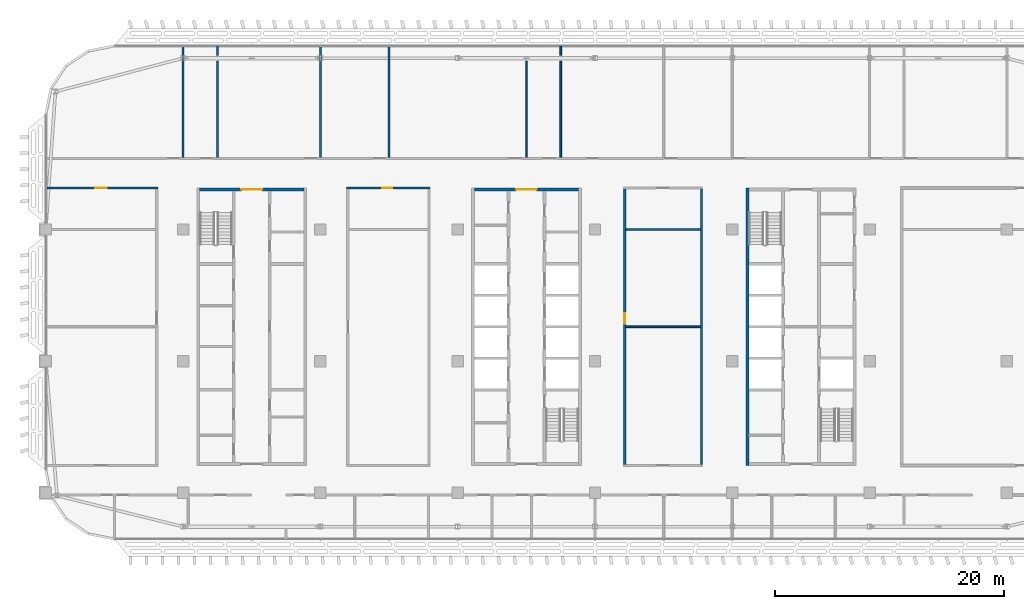
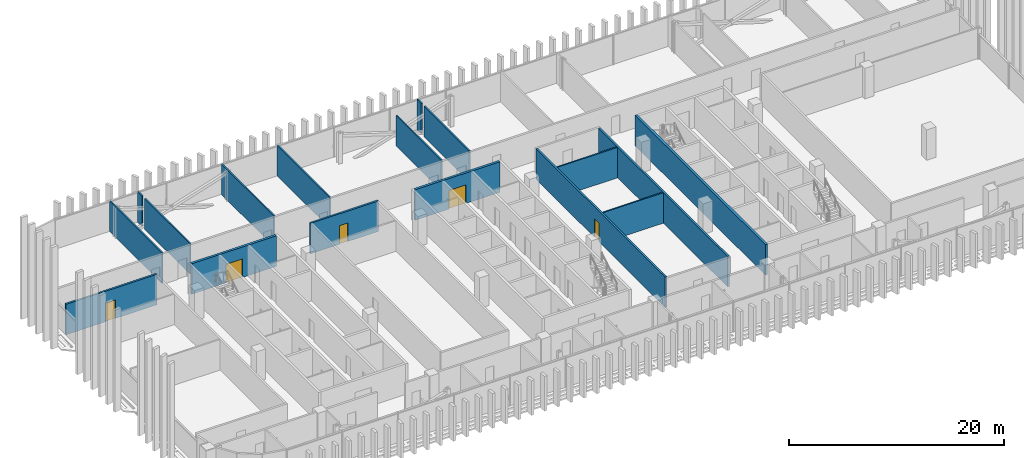
# One storey, part 18 of 32: 17 walls, 5 doors, 5 openings.
"""IFC4 building model written with IfcOpenShell, lengths in metres."""

from ifc_helpers import new_model, si_unit, direction, frame, frame_2d, origin, place, context, subcontext, project, spatial, rectangle, extrude, material, layer, layer_set, type_object, element, fill, save


model = new_model("IFC4")

# Units and contexts
model_context = context("Model", 3, precision=1e-05, world=origin(), true_north=direction((0.0, 1.0)))
body_context = subcontext(model_context, "Body", "Model", "MODEL_VIEW")
ifc_project = project(units=[si_unit("LENGTHUNIT", "METRE"), si_unit("AREAUNIT", "SQUARE_METRE"), si_unit("VOLUMEUNIT", "CUBIC_METRE"), si_unit("PLANEANGLEUNIT", "RADIAN"), si_unit("MASSUNIT", "GRAM", prefix="KILO")], contexts=[model_context])

# Site, building, storey
site_placement = place(None, origin())
site = spatial("IfcSite", under=ifc_project, at=site_placement, CompositionType="ELEMENT")
building_placement = place(site_placement, origin())
building = spatial("IfcBuilding", under=site, at=building_placement, Name="Mahtab Terrace Research Tower", CompositionType="ELEMENT")
storey_placement = place(building_placement, frame((0.0, 0.0, 243.800048828125)))
storey = spatial("IfcBuildingStorey", under=building, at=storey_placement, Name="L59", CompositionType="ELEMENT", Elevation=243.800048828125)

# Wall, opening, door
ifc_material_1 = material(Name="Concrete C70/85", Category="concrete")
ifc_layer_1 = layer(ifc_material_1, 0.25)
ifc_layer_set_1 = layer_set([ifc_layer_1], Name="Core wall 250")
wall_type_1 = type_object("IfcWallType", Name="Core wall 250", PredefinedType="SOLIDWALL", material=ifc_layer_set_1)
wall_1_placement = place(storey_placement, frame((-28.550048828125, 15.0, 0.0), z_axis=(0.0, 0.0, 1.0), x_axis=(1.0, 0.0, 0.0)))
wall_1 = element("IfcWall", 1, at=wall_1_placement, inside=storey, type_object=wall_type_1, Name="Core wall A endN", PredefinedType="SOLIDWALL", context=body_context, shape_type="SweptSolid", body=[
    extrude(rectangle(XDim=9.10009765625, YDim=0.25, at=frame_2d((4.550048828125, 0.0))), origin(), (0.0, 0.0, 1.0), 3.4599609375),
])
opening_1_placement = place(wall_1_placement, frame((3.64990234375, 0.0, 0.0)))
opening_1 = element("IfcOpeningElement", 2, at=opening_1_placement, cuts=wall_1, Name="Opening A-N1", PredefinedType="OPENING", context=body_context, shape_type="SweptSolid", body=[
    extrude(rectangle(XDim=1.800048828125, YDim=2.10009765625, at=frame_2d((0.89990234375, 1.050048828125))), frame((0.0, 0.135009765625, 0.0), z_axis=(0.0, -1.0, 0.0), x_axis=(1.0, 0.0, 0.0)), (0.0, 0.0, 1.0), 0.27001953125),
])
ifc_material_2 = material(Name="Steel fire door", Category="steel")
door_type_1 = type_object("IfcDoorType", Name="Lobby double door 1800x2100 1 HR", OperationType="DOUBLE_DOOR_SINGLE_SWING", PredefinedType="DOOR", material=ifc_material_2)
door_1_placement = place(opening_1_placement, origin())
door_1 = element("IfcDoor", 3, at=door_1_placement, inside=storey, type_object=door_type_1, Name="Core entrance door A N", OperationType="DOUBLE_DOOR_SINGLE_SWING", OverallHeight=2.10009765625, OverallWidth=1.800048828125, PredefinedType="DOOR", context=body_context, shape_type="SweptSolid", body=[
    extrude(rectangle(XDim=1.800048828125, YDim=2.10009765625, at=frame_2d((0.89990234375, 1.050048828125))), frame((0.0, 0.02490234375, 0.0), z_axis=(0.0, -1.0, 0.0), x_axis=(1.0, 0.0, 0.0)), (0.0, 0.0, 1.0), 0.050048828125),
])
fill(opening_1, door_1)

wall_2_placement = place(storey_placement, frame((-4.550048828125, 15.0, 0.0), z_axis=(0.0, 0.0, 1.0), x_axis=(1.0, 0.0, 0.0)))
wall_2 = element("IfcWall", 4, at=wall_2_placement, inside=storey, type_object=wall_type_1, Name="Core wall B endN", PredefinedType="SOLIDWALL", context=body_context, shape_type="SweptSolid", body=[
    extrude(rectangle(XDim=9.10009765625, YDim=0.25, at=frame_2d((4.550048828125, 0.0))), origin(), (0.0, 0.0, 1.0), 3.4599609375),
])
opening_2_placement = place(wall_2_placement, frame((3.64990234375, 0.0, 0.0)))
opening_2 = element("IfcOpeningElement", 5, at=opening_2_placement, cuts=wall_2, Name="Opening B-N1", PredefinedType="OPENING", context=body_context, shape_type="SweptSolid", body=[
    extrude(rectangle(XDim=1.800048828125, YDim=2.10009765625, at=frame_2d((0.89990234375, 1.050048828125))), frame((0.0, 0.135009765625, 0.0), z_axis=(0.0, -1.0, 0.0), x_axis=(1.0, 0.0, 0.0)), (0.0, 0.0, 1.0), 0.27001953125),
])
door_2_placement = place(opening_2_placement, origin())
door_2 = element("IfcDoor", 6, at=door_2_placement, inside=storey, type_object=door_type_1, Name="Core entrance door B N", OperationType="DOUBLE_DOOR_SINGLE_SWING", OverallHeight=2.10009765625, OverallWidth=1.800048828125, PredefinedType="DOOR", context=body_context, shape_type="SweptSolid", body=[
    extrude(rectangle(XDim=1.800048828125, YDim=2.10009765625, at=frame_2d((0.89990234375, 1.050048828125))), frame((0.0, 0.02490234375, 0.0), z_axis=(0.0, -1.0, 0.0), x_axis=(1.0, 0.0, 0.0)), (0.0, 0.0, 1.0), 0.050048828125),
])
fill(opening_2, door_2)

# Wall
wall_3_placement = place(storey_placement, frame((19.324951171875, 15.125, 0.0), z_axis=(0.0, 0.0, 1.0), x_axis=(0.0, -1.0, 0.0)))
element("IfcWall", 7, at=wall_3_placement, inside=storey, type_object=wall_type_1, Name="Core wall C outerW", PredefinedType="SOLIDWALL", context=body_context, shape_type="SweptSolid", body=[
    extrude(rectangle(XDim=24.25, YDim=0.25, at=frame_2d((12.125, 0.0))), origin(), (0.0, 0.0, 1.0), 3.4599609375),
])

# Wall, opening, door
ifc_material_3 = material(Name="Gypsum board corridor wall on steel studs", Category="steel")
ifc_layer_2 = layer(ifc_material_3, 0.199951171875)
ifc_layer_set_2 = layer_set([ifc_layer_2], Name="WALL CORRIDOR 200")
wall_type_2 = type_object("IfcWallType", Name="WALL CORRIDOR 200", PredefinedType="PARTITIONING", material=ifc_layer_set_2)
wall_4_placement = place(storey_placement, frame((-41.97509765625, 15.125, 0.0), z_axis=(0.0, 0.0, 1.0), x_axis=(1.0, 0.0, 0.0)))
wall_4 = element("IfcWall", 8, at=wall_4_placement, inside=storey, type_object=wall_type_2, Name="L59-W021", PredefinedType="PARTITIONING", context=body_context, shape_type="SweptSolid", body=[
    extrude(rectangle(XDim=9.775146484375, YDim=0.199951171875, at=frame_2d((4.8876953125, 0.0))), origin(), (0.0, 0.0, 1.0), 3.4599609375),
])
opening_3_placement = place(wall_4_placement, frame((4.300048828125, 0.0, 0.0)))
opening_3 = element("IfcOpeningElement", 9, at=opening_3_placement, cuts=wall_4, Name="Opening L59-123", PredefinedType="OPENING", context=body_context, shape_type="SweptSolid", body=[
    extrude(rectangle(XDim=1.0, YDim=2.10009765625, at=frame_2d((0.5, 1.050048828125))), frame((0.0, 0.10986328125, 0.0), z_axis=(0.0, -1.0, 0.0), x_axis=(1.0, 0.0, 0.0)), (0.0, 0.0, 1.0), 0.219970703125),
])
ifc_material_4 = material(Name="Timber door leaf in steel frame", Category="steel")
door_type_2 = type_object("IfcDoorType", Name="DOOR 1000X2100 FD30S", OperationType="SINGLE_SWING_LEFT", PredefinedType="DOOR", material=ifc_material_4)
door_3_placement = place(opening_3_placement, origin())
door_3 = element("IfcDoor", 10, at=door_3_placement, inside=storey, type_object=door_type_2, Name="Door L59-123", OperationType="SINGLE_SWING_RIGHT", OverallHeight=2.10009765625, OverallWidth=1.0, PredefinedType="DOOR", context=body_context, shape_type="SweptSolid", body=[
    extrude(rectangle(XDim=1.0, YDim=2.10009765625, at=frame_2d((0.5, 1.050048828125))), frame((0.0, 0.02490234375, 0.0), z_axis=(0.0, -1.0, 0.0), x_axis=(1.0, 0.0, 0.0)), (0.0, 0.0, 1.0), 0.050048828125),
])
fill(opening_3, door_3)

wall_5_placement = place(storey_placement, frame((-15.699951171875, 15.125, 0.0), z_axis=(0.0, 0.0, 1.0), x_axis=(1.0, 0.0, 0.0)))
wall_5 = element("IfcWall", 11, at=wall_5_placement, inside=storey, type_object=wall_type_2, Name="L59-W022", PredefinedType="PARTITIONING", context=body_context, shape_type="SweptSolid", body=[
    extrude(rectangle(XDim=7.300048828125, YDim=0.199951171875, at=frame_2d((3.64990234375, 0.0))), origin(), (0.0, 0.0, 1.0), 3.4599609375),
])
opening_4_placement = place(wall_5_placement, frame((3.10009765625, 0.0, 0.0)))
opening_4 = element("IfcOpeningElement", 12, at=opening_4_placement, cuts=wall_5, Name="Opening L59-124", PredefinedType="OPENING", context=body_context, shape_type="SweptSolid", body=[
    extrude(rectangle(XDim=0.89990234375, YDim=2.10009765625, at=frame_2d((0.449951171875, 1.050048828125))), frame((0.0, 0.10986328125, 0.0), z_axis=(0.0, -1.0, 0.0), x_axis=(1.0, 0.0, 0.0)), (0.0, 0.0, 1.0), 0.219970703125),
])
door_type_3 = type_object("IfcDoorType", Name="DOOR 0900X2100 FD30S", OperationType="SINGLE_SWING_LEFT", PredefinedType="DOOR", material=ifc_material_4)
door_4_placement = place(opening_4_placement, origin())
door_4 = element("IfcDoor", 13, at=door_4_placement, inside=storey, type_object=door_type_3, Name="Door L59-124", OperationType="SINGLE_SWING_RIGHT", OverallHeight=2.10009765625, OverallWidth=0.89990234375, PredefinedType="DOOR", context=body_context, shape_type="SweptSolid", body=[
    extrude(rectangle(XDim=0.89990234375, YDim=2.10009765625, at=frame_2d((0.449951171875, 1.050048828125))), frame((0.0, 0.02490234375, 0.0), z_axis=(0.0, -1.0, 0.0), x_axis=(1.0, 0.0, 0.0)), (0.0, 0.0, 1.0), 0.050048828125),
])
fill(opening_4, door_4)

wall_6_placement = place(storey_placement, frame((8.60009765625, -9.02490234375, 0.0), z_axis=(0.0, 0.0, 1.0), x_axis=(0.0, 1.0, 0.0)))
wall_6 = element("IfcWall", 14, at=wall_6_placement, inside=storey, type_object=wall_type_2, Name="L59-W045", PredefinedType="PARTITIONING", context=body_context, shape_type="SweptSolid", body=[
    extrude(rectangle(XDim=24.0498046875, YDim=0.199951171875, at=frame_2d((12.02490234375, 0.0))), origin(), (0.0, 0.0, 1.0), 3.4599609375),
])
opening_5_placement = place(wall_6_placement, frame((12.300048828125, 0.0, 0.0)))
opening_5 = element("IfcOpeningElement", 15, at=opening_5_placement, cuts=wall_6, Name="Opening L59-122", PredefinedType="OPENING", context=body_context, shape_type="SweptSolid", body=[
    extrude(rectangle(XDim=0.89990234375, YDim=2.10009765625, at=frame_2d((0.449951171875, 1.050048828125))), frame((0.0, 0.10986328125, 0.0), z_axis=(0.0, -1.0, 0.0), x_axis=(1.0, 0.0, 0.0)), (0.0, 0.0, 1.0), 0.219970703125),
])
door_5_placement = place(opening_5_placement, origin())
door_5 = element("IfcDoor", 16, at=door_5_placement, inside=storey, type_object=door_type_3, Name="Door L59-122", OperationType="SINGLE_SWING_LEFT", OverallHeight=2.10009765625, OverallWidth=0.89990234375, PredefinedType="DOOR", context=body_context, shape_type="SweptSolid", body=[
    extrude(rectangle(XDim=0.89990234375, YDim=2.10009765625, at=frame_2d((0.449951171875, 1.050048828125))), frame((0.0, 0.02490234375, 0.0), z_axis=(0.0, -1.0, 0.0), x_axis=(1.0, 0.0, 0.0)), (0.0, 0.0, 1.0), 0.050048828125),
])
fill(opening_5, door_5)

# Walls
wall_7_placement = place(storey_placement, frame((15.300048828125, -9.02490234375, 0.0), z_axis=(0.0, 0.0, 1.0), x_axis=(0.0, 1.0, 0.0)))
element("IfcWall", 17, at=wall_7_placement, inside=storey, type_object=wall_type_2, Name="L59-W048", PredefinedType="PARTITIONING", context=body_context, shape_type="SweptSolid", body=[
    extrude(rectangle(XDim=24.0498046875, YDim=0.199951171875, at=frame_2d((12.02490234375, 0.0))), origin(), (0.0, 0.0, 1.0), 3.4599609375),
])
ifc_material_5 = material(Name="Gypsum board partition on steel studs", Category="steel")
ifc_layer_3 = layer(ifc_material_5, 0.14990234375)
ifc_layer_set_3 = layer_set([ifc_layer_3], Name="WALL PARTITION 150")
wall_type_3 = type_object("IfcWallType", Name="WALL PARTITION 150", PredefinedType="PARTITIONING", material=ifc_layer_set_3)
for number, where, z_axis, x_axis, name in (
    (18, (8.699951171875, 3.0, 0.0), (0.0, 0.0, 1.0), (1.0, 0.0, 0.0), "L59-W015"),
    (19, (8.699951171875, 11.5, 0.0), (0.0, 0.0, 1.0), (1.0, 0.0, 0.0), "L59-W018"),
):
    element("IfcWall", number, at=place(storey_placement, frame(where, z_axis=z_axis, x_axis=x_axis)), inside=storey, type_object=wall_type_3, Name=name, PredefinedType="PARTITIONING", context=body_context, shape_type="SweptSolid", body=[
        extrude(rectangle(XDim=6.5, YDim=0.14990234375, at=frame_2d((3.25, 0.0))), origin(), (0.0, 0.0, 1.0), 3.4599609375),
    ])
wall_8_placement = place(storey_placement, frame((-30.0, 17.800048828125, 0.0), z_axis=(0.0, 0.0, 1.0), x_axis=(0.0, 1.0, 0.0)))
element("IfcWall", 20, at=wall_8_placement, inside=storey, type_object=wall_type_3, Name="L59-W028", PredefinedType="PARTITIONING", context=body_context, shape_type="SweptSolid", body=[
    extrude(rectangle(XDim=9.73095703125, YDim=0.14990234375, at=frame_2d((4.865478515625, 0.0))), origin(), (0.0, 0.0, 1.0), 3.4599609375),
])
wall_9_placement = place(storey_placement, frame((-27.0, 17.800048828125, 0.0), z_axis=(0.0, 0.0, 1.0), x_axis=(0.0, 1.0, 0.0)))
element("IfcWall", 21, at=wall_9_placement, inside=storey, type_object=wall_type_3, Name="L59-W030", PredefinedType="PARTITIONING", context=body_context, shape_type="SweptSolid", body=[
    extrude(rectangle(XDim=8.420654296875, YDim=0.14990234375, at=frame_2d((4.21044921875, 0.0))), origin(), (0.0, 0.0, 1.0), 3.4599609375),
])
wall_10_placement = place(storey_placement, frame((-27.0, 26.725341796875, 0.0), z_axis=(0.0, 0.0, 1.0), x_axis=(0.0, 1.0, 0.0)))
element("IfcWall", 22, at=wall_10_placement, inside=storey, type_object=wall_type_3, Name="L59-W031", PredefinedType="PARTITIONING", context=body_context, shape_type="SweptSolid", body=[
    extrude(rectangle(XDim=0.8056640625, YDim=0.14990234375, at=frame_2d((0.40283203125, 0.0))), origin(), (0.0, 0.0, 1.0), 3.4599609375),
])
for number, where, z_axis, x_axis, name in (
    (23, (-18.0, 17.800048828125, 0.0), (0.0, 0.0, 1.0), (0.0, 1.0, 0.0), "L59-W033"),
    (24, (-12.0, 17.800048828125, 0.0), (0.0, 0.0, 1.0), (0.0, 1.0, 0.0), "L59-W036"),
):
    element("IfcWall", number, at=place(storey_placement, frame(where, z_axis=z_axis, x_axis=x_axis)), inside=storey, type_object=wall_type_3, Name=name, PredefinedType="PARTITIONING", context=body_context, shape_type="SweptSolid", body=[
        extrude(rectangle(XDim=9.73095703125, YDim=0.14990234375, at=frame_2d((4.865478515625, 0.0))), origin(), (0.0, 0.0, 1.0), 3.4599609375),
    ])
for number, where, z_axis, x_axis, name in (
    (25, (0.0, 17.800048828125, 0.0), (0.0, 0.0, 1.0), (0.0, 1.0, 0.0), "L59-W040"),
    (26, (3.0, 17.800048828125, 0.0), (0.0, 0.0, 1.0), (0.0, 1.0, 0.0), "L59-W042"),
):
    element("IfcWall", number, at=place(storey_placement, frame(where, z_axis=z_axis, x_axis=x_axis)), inside=storey, type_object=wall_type_3, Name=name, PredefinedType="PARTITIONING", context=body_context, shape_type="SweptSolid", body=[
        extrude(rectangle(XDim=8.420654296875, YDim=0.14990234375, at=frame_2d((4.21044921875, 0.0))), origin(), (0.0, 0.0, 1.0), 3.4599609375),
    ])
wall_11_placement = place(storey_placement, frame((3.0, 26.725341796875, 0.0), z_axis=(0.0, 0.0, 1.0), x_axis=(0.0, 1.0, 0.0)))
element("IfcWall", 27, at=wall_11_placement, inside=storey, type_object=wall_type_3, Name="L59-W043", PredefinedType="PARTITIONING", context=body_context, shape_type="SweptSolid", body=[
    extrude(rectangle(XDim=0.8056640625, YDim=0.14990234375, at=frame_2d((0.40283203125, 0.0))), origin(), (0.0, 0.0, 1.0), 3.4599609375),
])

save(model, "model.ifc")
